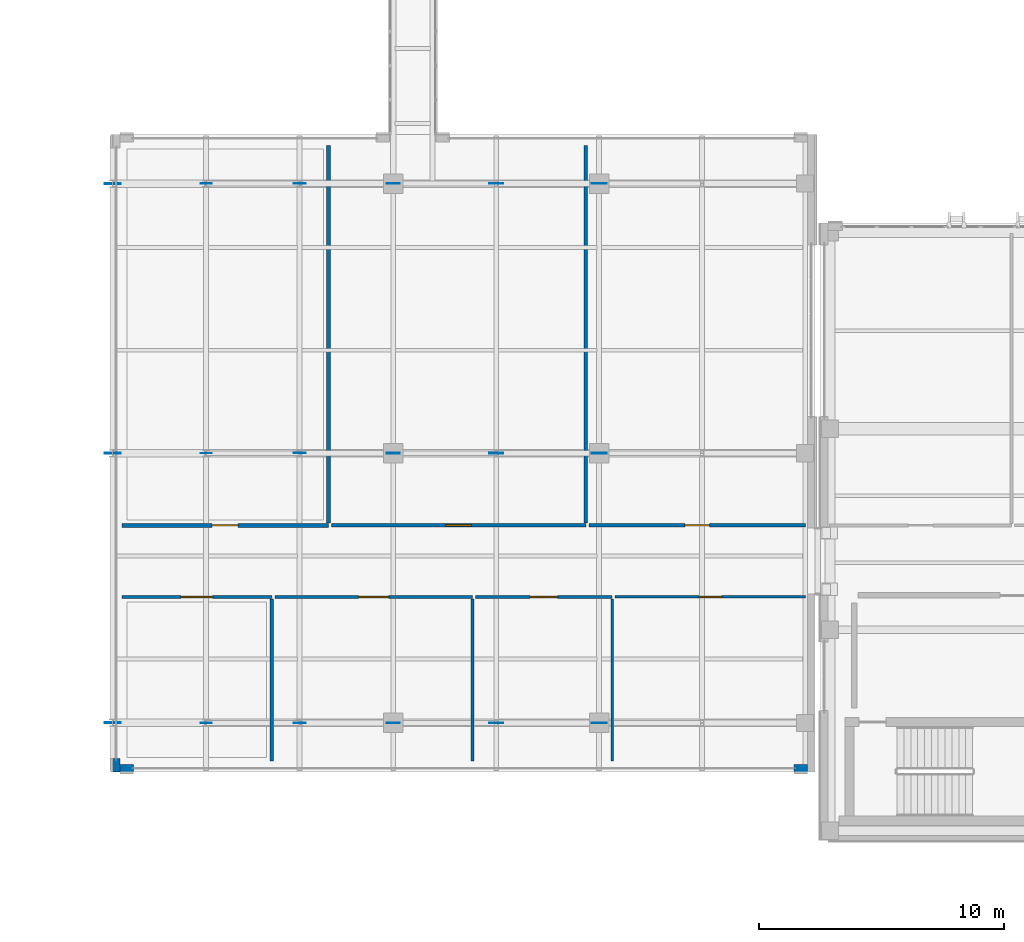
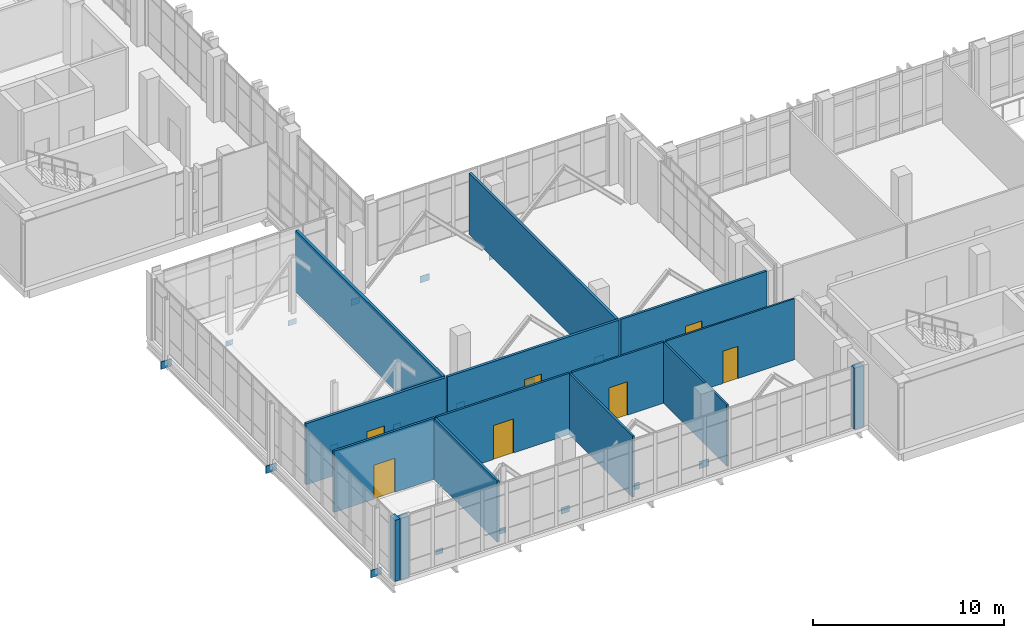
# One storey, part 153 of 193: 18 plates, 15 walls, 7 doors, 7 openings.
"""IFC4 building model written with IfcOpenShell, lengths in metres."""

from ifc_helpers import new_model, si_unit, direction, frame, frame_2d, origin, origin_2d, place, context, subcontext, project, spatial, rectangle, extrude, material, layer, layer_set, type_object, element, fill, save


model = new_model("IFC4")

# Units and contexts
model_context = context("Model", 3, precision=1e-05, world=origin(), true_north=direction((0.0, 1.0)))
body_context = subcontext(model_context, "Body", "Model", "MODEL_VIEW")
ifc_project = project(units=[si_unit("LENGTHUNIT", "METRE"), si_unit("AREAUNIT", "SQUARE_METRE"), si_unit("VOLUMEUNIT", "CUBIC_METRE"), si_unit("PLANEANGLEUNIT", "RADIAN"), si_unit("MASSUNIT", "GRAM", prefix="KILO")], contexts=[model_context])

# Site, building, storey
site_placement = place(None, origin())
site = spatial("IfcSite", under=ifc_project, at=site_placement, CompositionType="ELEMENT")
building_placement = place(site_placement, origin())
building = spatial("IfcBuilding", under=site, at=building_placement, Name="Qalavern Law Courts", CompositionType="ELEMENT")
storey_placement = place(building_placement, frame((0.0, 0.0, 10.199951171875)))
storey = spatial("IfcBuildingStorey", under=building, at=storey_placement, Name="L02", CompositionType="ELEMENT", Elevation=10.199951171875)

# Plates
ifc_material_1 = material(Name="Steel S355", Category="steel")
ifc_layer_1 = layer(ifc_material_1, 0.035888671875)
ifc_layer_set_1 = layer_set([ifc_layer_1], Name="Steel S355")
plate_type_1 = type_object("IfcPlateType", Name="STR-GP-TN1", PredefinedType="USERDEFINED", material=ifc_layer_set_1)
for number, where, z_axis, x_axis, name in (
    (1, (5.35009765625, 10.0, -0.85498046875), (0.0, 0.0, 1.0), (1.0, 0.0, 0.0), "Truss node gusset plate TN1 T1-L02-6"),
    (2, (5.35009765625, 21.0, -0.85498046875), (0.0, 0.0, 1.0), (1.0, 0.0, 0.0), "Truss node gusset plate TN1 T2-L02-6"),
    (3, (5.35009765625, 32.0, -0.85498046875), (0.0, 0.0, 1.0), (1.0, 0.0, 0.0), "Truss node gusset plate TN1 T3-L02-6"),
):
    element("IfcPlate", number, at=place(storey_placement, frame(where, z_axis=z_axis, x_axis=x_axis)), inside=storey, type_object=plate_type_1, Name=name, ObjectType="GUSSET PLATE", PredefinedType="USERDEFINED", context=body_context, shape_type="SweptSolid", body=[
        extrude(rectangle(XDim=0.64990234375, YDim=0.035888671875, at=origin_2d()), origin(), (0.0, 0.0, 1.0), 0.47998046875),
    ])
ifc_layer_2 = layer(ifc_material_1, 0.031982421875)
ifc_layer_set_2 = layer_set([ifc_layer_2], Name="Steel S355")
plate_type_2 = type_object("IfcPlateType", Name="STR-GP-TN2", PredefinedType="USERDEFINED", material=ifc_layer_set_2)
for number, where, z_axis, x_axis, name in (
    (4, (25.199951171875, 10.0, -0.83984375), (0.0, 0.0, 1.0), (1.0, 0.0, 0.0), "Truss node gusset plate TN2 T1-L02-1"),
    (5, (25.199951171875, 21.0, -0.83984375), (0.0, 0.0, 1.0), (1.0, 0.0, 0.0), "Truss node gusset plate TN2 T2-L02-1"),
    (6, (25.199951171875, 32.0, -0.83984375), (0.0, 0.0, 1.0), (1.0, 0.0, 0.0), "Truss node gusset plate TN2 T3-L02-1"),
):
    element("IfcPlate", number, at=place(storey_placement, frame(where, z_axis=z_axis, x_axis=x_axis)), inside=storey, type_object=plate_type_2, Name=name, ObjectType="GUSSET PLATE", PredefinedType="USERDEFINED", context=body_context, shape_type="SweptSolid", body=[
        extrude(rectangle(XDim=0.60009765625, YDim=0.031982421875, at=origin_2d()), origin(), (0.0, 0.0, 1.0), 0.449951171875),
    ])
ifc_layer_3 = layer(ifc_material_1, 0.028076171875)
ifc_layer_set_3 = layer_set([ifc_layer_3], Name="Steel S355")
plate_type_3 = type_object("IfcPlateType", Name="STR-GP-TN3", PredefinedType="USERDEFINED", material=ifc_layer_set_3)
for number, where, z_axis, x_axis, name in (
    (7, (21.0, 10.0, -0.824951171875), (0.0, 0.0, 1.0), (1.0, 0.0, 0.0), "Truss node gusset plate TN3 T1-L02-2"),
    (8, (21.0, 21.0, -0.824951171875), (0.0, 0.0, 1.0), (1.0, 0.0, 0.0), "Truss node gusset plate TN3 T2-L02-2"),
    (9, (21.0, 32.0, -0.824951171875), (0.0, 0.0, 1.0), (1.0, 0.0, 0.0), "Truss node gusset plate TN3 T3-L02-2"),
):
    element("IfcPlate", number, at=place(storey_placement, frame(where, z_axis=z_axis, x_axis=x_axis)), inside=storey, type_object=plate_type_3, Name=name, ObjectType="GUSSET PLATE", PredefinedType="USERDEFINED", context=body_context, shape_type="SweptSolid", body=[
        extrude(rectangle(XDim=0.56005859375, YDim=0.028076171875, at=origin_2d()), origin(), (0.0, 0.0, 1.0), 0.419921875),
    ])
ifc_layer_4 = layer(ifc_material_1, 0.02392578125)
ifc_layer_set_4 = layer_set([ifc_layer_4], Name="Steel S355")
plate_type_4 = type_object("IfcPlateType", Name="STR-GP-TN4", PredefinedType="USERDEFINED", material=ifc_layer_set_4)
for number, where, z_axis, x_axis, name in (
    (10, (16.800048828125, 10.0, -0.81494140625), (0.0, 0.0, 1.0), (1.0, 0.0, 0.0), "Truss node gusset plate TN4 T1-L02-3"),
    (11, (16.800048828125, 21.0, -0.81494140625), (0.0, 0.0, 1.0), (1.0, 0.0, 0.0), "Truss node gusset plate TN4 T2-L02-3"),
    (12, (16.800048828125, 32.0, -0.81494140625), (0.0, 0.0, 1.0), (1.0, 0.0, 0.0), "Truss node gusset plate TN4 T3-L02-3"),
):
    element("IfcPlate", number, at=place(storey_placement, frame(where, z_axis=z_axis, x_axis=x_axis)), inside=storey, type_object=plate_type_4, Name=name, ObjectType="GUSSET PLATE", PredefinedType="USERDEFINED", context=body_context, shape_type="SweptSolid", body=[
        extrude(rectangle(XDim=0.52001953125, YDim=0.02392578125, at=origin_2d()), origin(), (0.0, 0.0, 1.0), 0.39990234375),
    ])
ifc_layer_5 = layer(ifc_material_1, 0.02001953125)
ifc_layer_set_5 = layer_set([ifc_layer_5], Name="Steel S355")
plate_type_5 = type_object("IfcPlateType", Name="STR-GP-TN5", PredefinedType="USERDEFINED", material=ifc_layer_set_5)
for number, where, z_axis, x_axis, name in (
    (13, (12.9833984375, 10.0, -0.794921875), (0.0, 0.0, 1.0), (1.0, 0.0, 0.0), "Truss node gusset plate TN5 T1-L02-4"),
    (14, (12.9833984375, 21.0, -0.794921875), (0.0, 0.0, 1.0), (1.0, 0.0, 0.0), "Truss node gusset plate TN5 T2-L02-4"),
    (15, (12.9833984375, 32.0, -0.794921875), (0.0, 0.0, 1.0), (1.0, 0.0, 0.0), "Truss node gusset plate TN5 T3-L02-4"),
):
    element("IfcPlate", number, at=place(storey_placement, frame(where, z_axis=z_axis, x_axis=x_axis)), inside=storey, type_object=plate_type_5, Name=name, ObjectType="GUSSET PLATE", PredefinedType="USERDEFINED", context=body_context, shape_type="SweptSolid", body=[
        extrude(rectangle(XDim=0.47998046875, YDim=0.02001953125, at=origin_2d()), origin(), (0.0, 0.0, 1.0), 0.360107421875),
    ])
ifc_layer_6 = layer(ifc_material_1, 0.01611328125)
ifc_layer_set_6 = layer_set([ifc_layer_6], Name="Steel S355")
plate_type_6 = type_object("IfcPlateType", Name="STR-GP-TN6", PredefinedType="USERDEFINED", material=ifc_layer_set_6)
for number, where, z_axis, x_axis, name in (
    (16, (9.166748046875, 10.0, -0.78515625), (0.0, 0.0, 1.0), (1.0, 0.0, 0.0), "Truss node gusset plate TN6 T1-L02-5"),
    (17, (9.166748046875, 21.0, -0.78515625), (0.0, 0.0, 1.0), (1.0, 0.0, 0.0), "Truss node gusset plate TN6 T2-L02-5"),
    (18, (9.166748046875, 32.0, -0.78515625), (0.0, 0.0, 1.0), (1.0, 0.0, 0.0), "Truss node gusset plate TN6 T3-L02-5"),
):
    element("IfcPlate", number, at=place(storey_placement, frame(where, z_axis=z_axis, x_axis=x_axis)), inside=storey, type_object=plate_type_6, Name=name, ObjectType="GUSSET PLATE", PredefinedType="USERDEFINED", context=body_context, shape_type="SweptSolid", body=[
        extrude(rectangle(XDim=0.43994140625, YDim=0.01611328125, at=origin_2d()), origin(), (0.0, 0.0, 1.0), 0.340087890625),
    ])

# Walls
ifc_material_2 = material(Name="Concrete C40/50", Category="concrete")
ifc_layer_7 = layer(ifc_material_2, 0.31005859375)
ifc_layer_set_7 = layer_set([ifc_layer_7], Name="Concrete C40/50")
wall_type_1 = type_object("IfcWallType", Name="ENV-EW-310", PredefinedType="SOLIDWALL", material=ifc_layer_set_7)
for number, where, z_axis, x_axis, name in (
    (19, (5.655029296875, 8.155029296875, 0.0), (0.0, 0.0, 1.0), (1.0, 0.0, 0.0), "V1 exterior pier wall L02 south 1"),
    (20, (33.14501953125, 8.155029296875, 0.0), (0.0, 0.0, 1.0), (1.0, 0.0, 0.0), "V1 exterior pier wall L02 south 2"),
    (21, (5.5048828125, 8.550048828125, 0.0), (0.0, 0.0, 1.0), (0.0, -1.0, 0.0), "V1 exterior pier wall L02 west 2"),
):
    element("IfcWall", number, at=place(storey_placement, frame(where, z_axis=z_axis, x_axis=x_axis)), inside=storey, type_object=wall_type_1, Name=name, PredefinedType="SOLIDWALL", context=body_context, shape_type="SweptSolid", body=[
        extrude(rectangle(XDim=0.550048828125, YDim=0.31005859375, at=frame_2d((0.27490234375, 0.0))), origin(), (0.0, 0.0, 1.0), 3.9150390625),
    ])

# Wall, opening, door
ifc_material_3 = material(Name="Gypsum sanitary partition")
ifc_layer_8 = layer(ifc_material_3, 0.10205078125)
ifc_layer_set_8 = layer_set([ifc_layer_8], Name="Gypsum sanitary partition")
wall_type_2 = type_object("IfcWallType", Name="INT-PW-102", PredefinedType="PARTITIONING", material=ifc_layer_set_8)
wall_1_placement = place(storey_placement, frame((25.85302734375, 15.139892578125, 0.0), z_axis=(0.0, 0.0, 1.0), x_axis=(1.0, 0.0, 0.0)))
wall_1 = element("IfcWall", 22, at=wall_1_placement, inside=storey, type_object=wall_type_2, Name="Accessible WC corridor partition L02", PredefinedType="PARTITIONING", context=body_context, shape_type="SweptSolid", body=[
    extrude(rectangle(XDim=7.76708984375, YDim=0.10205078125, at=frame_2d((3.883544921875, 0.0))), origin(), (0.0, 0.0, 1.0), 3.9150390625),
])
opening_1_placement = place(wall_1_placement, frame((3.423583984375, 0.0, 0.0)))
opening_1 = element("IfcOpeningElement", 23, at=opening_1_placement, cuts=wall_1, Name="Opening L02-D130", PredefinedType="OPENING", context=body_context, shape_type="SweptSolid", body=[
    extrude(rectangle(XDim=0.919921875, YDim=2.06005859375, at=frame_2d((0.4599609375, 1.030029296875))), frame((0.0, 0.06591796875, 0.0), z_axis=(0.0, -1.0, 0.0), x_axis=(1.0, 0.0, 0.0)), (0.0, 0.0, 1.0), 0.1318359375),
])
ifc_material_4 = material(Name="Public and Staff WC door")
door_type_1 = type_object("IfcDoorType", Name="INT-ID-920x2060", OperationType="NOTDEFINED", PredefinedType="DOOR", material=ifc_material_4)
door_1_placement = place(opening_1_placement, frame((0.919921875, 0.0, 0.0), z_axis=(0.0, 0.0, 1.0), x_axis=(-1.0, 0.0, 0.0)))
door_1 = element("IfcDoor", 24, at=door_1_placement, inside=storey, type_object=door_type_1, Name="Accessible WC door L02", OperationType="SINGLE_SWING_LEFT", OverallHeight=2.06005859375, OverallWidth=0.919921875, PredefinedType="DOOR", context=body_context, shape_type="SweptSolid", body=[
    extrude(rectangle(XDim=0.919921875, YDim=2.06005859375, at=frame_2d((0.4599609375, 1.030029296875))), frame((0.0, 0.02490234375, 0.0), z_axis=(0.0, -1.0, 0.0), x_axis=(1.0, 0.0, 0.0)), (0.0, 0.0, 1.0), 0.050048828125),
])
fill(opening_1, door_1)

ifc_material_5 = material(Name="Gypsum stud partition")
ifc_layer_9 = layer(ifc_material_5, 0.112060546875)
ifc_layer_set_9 = layer_set([ifc_layer_9], Name="Gypsum stud partition")
wall_type_3 = type_object("IfcWallType", Name="INT-PW-112", PredefinedType="PARTITIONING", material=ifc_layer_set_9)
wall_2_placement = place(storey_placement, frame((20.14794921875, 15.139892578125, 0.0), z_axis=(0.0, 0.0, 1.0), x_axis=(1.0, 0.0, 0.0)))
wall_2 = element("IfcWall", 25, at=wall_2_placement, inside=storey, type_object=wall_type_3, Name="Advocates Consultation Room corridor partition L02", PredefinedType="PARTITIONING", context=body_context, shape_type="SweptSolid", body=[
    extrude(rectangle(XDim=5.5849609375, YDim=0.112060546875, at=frame_2d((2.79248046875, 0.0))), origin(), (0.0, 0.0, 1.0), 3.9150390625),
])
opening_2_placement = place(wall_2_placement, frame((2.232421875, 0.0, 0.0)))
opening_2 = element("IfcOpeningElement", 26, at=opening_2_placement, cuts=wall_2, Name="Opening L02-D129", PredefinedType="OPENING", context=body_context, shape_type="SweptSolid", body=[
    extrude(rectangle(XDim=1.1201171875, YDim=2.139892578125, at=frame_2d((0.56005859375, 1.06982421875))), frame((0.0, 0.07080078125, 0.0), z_axis=(0.0, -1.0, 0.0), x_axis=(1.0, 0.0, 0.0)), (0.0, 0.0, 1.0), 0.141845703125),
])
ifc_material_6 = material(Name="Solid oak Appellate Chambers door")
door_type_2 = type_object("IfcDoorType", Name="INT-ID-1120x2140", OperationType="NOTDEFINED", PredefinedType="DOOR", material=ifc_material_6)
door_2_placement = place(opening_2_placement, frame((1.1201171875, 0.0, 0.0), z_axis=(0.0, 0.0, 1.0), x_axis=(-1.0, 0.0, 0.0)))
door_2 = element("IfcDoor", 27, at=door_2_placement, inside=storey, type_object=door_type_2, Name="Advocates Consultation Room door L02", OperationType="SINGLE_SWING_RIGHT", OverallHeight=2.139892578125, OverallWidth=1.1201171875, PredefinedType="DOOR", context=body_context, shape_type="SweptSolid", body=[
    extrude(rectangle(XDim=1.1201171875, YDim=2.139892578125, at=frame_2d((0.56005859375, 1.06982421875))), frame((0.0, 0.02490234375, 0.0), z_axis=(0.0, -1.0, 0.0), x_axis=(1.0, 0.0, 0.0)), (0.0, 0.0, 1.0), 0.050048828125),
])
fill(opening_2, door_2)

# Wall
wall_3_placement = place(storey_placement, frame((25.73291015625, 8.43994140625, 0.0), z_axis=(0.0, 0.0, 1.0), x_axis=(0.0, 1.0, 0.0)))
element("IfcWall", 28, at=wall_3_placement, inside=storey, type_object=wall_type_3, Name="Advocates Consultation Room cross partition L02 east", PredefinedType="PARTITIONING", context=body_context, shape_type="SweptSolid", body=[
    extrude(rectangle(XDim=6.6240234375, YDim=0.112060546875, at=frame_2d((3.31201171875, 0.0))), origin(), (0.0, 0.0, 1.0), 3.9150390625),
])

# Wall, opening, door
ifc_layer_10 = layer(ifc_material_5, 0.1220703125)
ifc_layer_set_10 = layer_set([ifc_layer_10], Name="Gypsum stud partition")
wall_type_4 = type_object("IfcWallType", Name="INT-PW-122", PredefinedType="PARTITIONING", material=ifc_layer_set_10)
wall_4_placement = place(storey_placement, frame((11.968017578125, 15.139892578125, 0.0), z_axis=(0.0, 0.0, 1.0), x_axis=(1.0, 0.0, 0.0)))
wall_4 = element("IfcWall", 29, at=wall_4_placement, inside=storey, type_object=wall_type_4, Name="Public Waiting Gallery corridor partition L02", PredefinedType="PARTITIONING", context=body_context, shape_type="SweptSolid", body=[
    extrude(rectangle(XDim=8.06005859375, YDim=0.1220703125, at=frame_2d((4.030029296875, 0.0))), origin(), (0.0, 0.0, 1.0), 3.9150390625),
])
opening_3_placement = place(wall_4_placement, frame((3.419921875, 0.0, 0.0)))
opening_3 = element("IfcOpeningElement", 30, at=opening_3_placement, cuts=wall_4, Name="Opening L02-D128", PredefinedType="OPENING", context=body_context, shape_type="SweptSolid", body=[
    extrude(rectangle(XDim=1.219970703125, YDim=2.179931640625, at=frame_2d((0.60986328125, 1.08984375))), frame((0.0, 0.075927734375, 0.0), z_axis=(0.0, -1.0, 0.0), x_axis=(1.0, 0.0, 0.0)), (0.0, 0.0, 1.0), 0.15185546875),
])
ifc_material_7 = material(Name="Wide oak Plenary Boardroom door")
door_type_3 = type_object("IfcDoorType", Name="INT-ID-1220x2180", OperationType="NOTDEFINED", PredefinedType="DOOR", material=ifc_material_7)
door_3_placement = place(opening_3_placement, frame((1.219970703125, 0.0, 0.0), z_axis=(0.0, 0.0, 1.0), x_axis=(-1.0, 0.0, 0.0)))
door_3 = element("IfcDoor", 31, at=door_3_placement, inside=storey, type_object=door_type_3, Name="Public Waiting Gallery door L02", OperationType="SINGLE_SWING_LEFT", OverallHeight=2.179931640625, OverallWidth=1.219970703125, PredefinedType="DOOR", context=body_context, shape_type="SweptSolid", body=[
    extrude(rectangle(XDim=1.219970703125, YDim=2.179931640625, at=frame_2d((0.60986328125, 1.08984375))), frame((0.0, 0.02490234375, 0.0), z_axis=(0.0, -1.0, 0.0), x_axis=(1.0, 0.0, 0.0)), (0.0, 0.0, 1.0), 0.050048828125),
])
fill(opening_3, door_3)

# Wall
wall_5_placement = place(storey_placement, frame((20.028076171875, 8.43994140625, 0.0), z_axis=(0.0, 0.0, 1.0), x_axis=(0.0, 1.0, 0.0)))
element("IfcWall", 32, at=wall_5_placement, inside=storey, type_object=wall_type_4, Name="Public Waiting Gallery cross partition L02 east", PredefinedType="PARTITIONING", context=body_context, shape_type="SweptSolid", body=[
    extrude(rectangle(XDim=6.619140625, YDim=0.1220703125, at=frame_2d((3.3095703125, 0.0))), origin(), (0.0, 0.0, 1.0), 3.9150390625),
])

# Wall, opening, door
ifc_layer_11 = layer(ifc_material_5, 0.132080078125)
ifc_layer_set_11 = layer_set([ifc_layer_11], Name="Gypsum stud partition")
wall_type_5 = type_object("IfcWallType", Name="INT-PW-132", PredefinedType="PARTITIONING", material=ifc_layer_set_11)
wall_6_placement = place(storey_placement, frame((5.72998046875, 15.139892578125, 0.0), z_axis=(0.0, 0.0, 1.0), x_axis=(1.0, 0.0, 0.0)))
wall_6 = element("IfcWall", 33, at=wall_6_placement, inside=storey, type_object=wall_type_5, Name="Cantilevered Public Foyer corridor partition L02", PredefinedType="PARTITIONING", context=body_context, shape_type="SweptSolid", body=[
    extrude(rectangle(XDim=6.117919921875, YDim=0.132080078125, at=frame_2d((3.05908203125, 0.0))), origin(), (0.0, 0.0, 1.0), 3.9150390625),
])
opening_4_placement = place(wall_6_placement, frame((2.4189453125, 0.0, 0.0)))
opening_4 = element("IfcOpeningElement", 34, at=opening_4_placement, cuts=wall_6, Name="Opening L02-D127", PredefinedType="OPENING", context=body_context, shape_type="SweptSolid", body=[
    extrude(rectangle(XDim=1.280029296875, YDim=2.179931640625, at=frame_2d((0.64013671875, 1.08984375))), frame((0.0, 0.0810546875, 0.0), z_axis=(0.0, -1.0, 0.0), x_axis=(1.0, 0.0, 0.0)), (0.0, 0.0, 1.0), 0.161865234375),
])
ifc_material_8 = material(Name="Wide oak Judicial Conference door")
door_type_4 = type_object("IfcDoorType", Name="INT-ID-1280x2180", OperationType="NOTDEFINED", PredefinedType="DOOR", material=ifc_material_8)
door_4_placement = place(opening_4_placement, frame((1.280029296875, 0.0, 0.0), z_axis=(0.0, 0.0, 1.0), x_axis=(-1.0, 0.0, 0.0)))
door_4 = element("IfcDoor", 35, at=door_4_placement, inside=storey, type_object=door_type_4, Name="Cantilevered Public Foyer door L02", OperationType="SINGLE_SWING_RIGHT", OverallHeight=2.179931640625, OverallWidth=1.280029296875, PredefinedType="DOOR", context=body_context, shape_type="SweptSolid", body=[
    extrude(rectangle(XDim=1.280029296875, YDim=2.179931640625, at=frame_2d((0.64013671875, 1.08984375))), frame((0.0, 0.02490234375, 0.0), z_axis=(0.0, -1.0, 0.0), x_axis=(1.0, 0.0, 0.0)), (0.0, 0.0, 1.0), 0.050048828125),
])
fill(opening_4, door_4)

# Wall
wall_7_placement = place(storey_placement, frame((11.847900390625, 8.43994140625, 0.0), z_axis=(0.0, 0.0, 1.0), x_axis=(0.0, 1.0, 0.0)))
element("IfcWall", 36, at=wall_7_placement, inside=storey, type_object=wall_type_5, Name="Cantilevered Public Foyer cross partition L02 east", PredefinedType="PARTITIONING", context=body_context, shape_type="SweptSolid", body=[
    extrude(rectangle(XDim=6.614013671875, YDim=0.132080078125, at=frame_2d((3.30712890625, 0.0))), origin(), (0.0, 0.0, 1.0), 3.9150390625),
])

# Wall, opening, door
ifc_layer_12 = layer(ifc_material_5, 0.14208984375)
ifc_layer_set_12 = layer_set([ifc_layer_12], Name="Gypsum stud partition")
wall_type_6 = type_object("IfcWallType", Name="INT-PW-142", PredefinedType="PARTITIONING", material=ifc_layer_set_12)
wall_8_placement = place(storey_placement, frame((24.77587890625, 18.06005859375, 0.0), z_axis=(0.0, 0.0, 1.0), x_axis=(1.0, 0.0, 0.0)))
wall_8 = element("IfcWall", 37, at=wall_8_placement, inside=storey, type_object=wall_type_6, Name="Advocates Consultation Room corridor partition L02", PredefinedType="PARTITIONING", context=body_context, shape_type="SweptSolid", body=[
    extrude(rectangle(XDim=8.84423828125, YDim=0.14208984375, at=frame_2d((4.422119140625, 0.0))), origin(), (0.0, 0.0, 1.0), 3.9150390625),
])
opening_5_placement = place(wall_8_placement, frame((3.922119140625, 0.0, 0.0)))
opening_5 = element("IfcOpeningElement", 38, at=opening_5_placement, cuts=wall_8, Name="Opening L02-D133", PredefinedType="OPENING", context=body_context, shape_type="SweptSolid", body=[
    extrude(rectangle(XDim=1.0, YDim=2.10009765625, at=frame_2d((0.5, 1.050048828125))), frame((0.0, 0.0859375, 0.0), z_axis=(0.0, -1.0, 0.0), x_axis=(1.0, 0.0, 0.0)), (0.0, 0.0, 1.0), 0.171875),
])
ifc_material_9 = material(Name="Timber Judicial Clerks' Office door", Category="wood")
door_type_5 = type_object("IfcDoorType", Name="INT-ID-1000x2100", OperationType="NOTDEFINED", PredefinedType="DOOR", material=ifc_material_9)
door_5_placement = place(opening_5_placement, origin())
door_5 = element("IfcDoor", 39, at=door_5_placement, inside=storey, type_object=door_type_5, Name="Advocates Consultation Room door L02", OperationType="SINGLE_SWING_RIGHT", OverallHeight=2.10009765625, OverallWidth=1.0, PredefinedType="DOOR", context=body_context, shape_type="SweptSolid", body=[
    extrude(rectangle(XDim=1.0, YDim=2.10009765625, at=frame_2d((0.5, 1.050048828125))), frame((0.0, 0.02490234375, 0.0), z_axis=(0.0, -1.0, 0.0), x_axis=(1.0, 0.0, 0.0)), (0.0, 0.0, 1.0), 0.050048828125),
])
fill(opening_5, door_5)

ifc_layer_13 = layer(ifc_material_5, 0.152099609375)
ifc_layer_set_13 = layer_set([ifc_layer_13], Name="Gypsum stud partition")
wall_type_7 = type_object("IfcWallType", Name="INT-PW-152", PredefinedType="PARTITIONING", material=ifc_layer_set_13)
wall_9_placement = place(storey_placement, frame((14.281982421875, 18.06005859375, 0.0), z_axis=(0.0, 0.0, 1.0), x_axis=(1.0, 0.0, 0.0)))
wall_9 = element("IfcWall", 40, at=wall_9_placement, inside=storey, type_object=wall_type_7, Name="Public Waiting Gallery corridor partition L02", PredefinedType="PARTITIONING", context=body_context, shape_type="SweptSolid", body=[
    extrude(rectangle(XDim=10.3740234375, YDim=0.152099609375, at=frame_2d((5.18701171875, 0.0))), origin(), (0.0, 0.0, 1.0), 3.9150390625),
])
opening_6_placement = place(wall_9_placement, frame((4.672119140625, 0.0, 0.0)))
opening_6 = element("IfcOpeningElement", 41, at=opening_6_placement, cuts=wall_9, Name="Opening L02-D132", PredefinedType="OPENING", context=body_context, shape_type="SweptSolid", body=[
    extrude(rectangle(XDim=1.030029296875, YDim=2.110107421875, at=frame_2d((0.51513671875, 1.05517578125))), frame((0.0, 0.0908203125, 0.0), z_axis=(0.0, -1.0, 0.0), x_axis=(1.0, 0.0, 0.0)), (0.0, 0.0, 1.0), 0.181884765625),
])
ifc_material_10 = material(Name="Oak Mediation Suite door")
door_type_6 = type_object("IfcDoorType", Name="INT-ID-1030x2110", OperationType="NOTDEFINED", PredefinedType="DOOR", material=ifc_material_10)
door_6_placement = place(opening_6_placement, origin())
door_6 = element("IfcDoor", 42, at=door_6_placement, inside=storey, type_object=door_type_6, Name="Public Waiting Gallery door L02", OperationType="SINGLE_SWING_LEFT", OverallHeight=2.110107421875, OverallWidth=1.030029296875, PredefinedType="DOOR", context=body_context, shape_type="SweptSolid", body=[
    extrude(rectangle(XDim=1.030029296875, YDim=2.110107421875, at=frame_2d((0.51513671875, 1.05517578125))), frame((0.0, 0.02490234375, 0.0), z_axis=(0.0, -1.0, 0.0), x_axis=(1.0, 0.0, 0.0)), (0.0, 0.0, 1.0), 0.050048828125),
])
fill(opening_6, door_6)

# Wall
wall_10_placement = place(storey_placement, frame((24.656005859375, 18.156005859375, 0.0), z_axis=(0.0, 0.0, 1.0), x_axis=(0.0, 1.0, 0.0)))
element("IfcWall", 43, at=wall_10_placement, inside=storey, type_object=wall_type_7, Name="Public Waiting Gallery cross partition L02 east", PredefinedType="PARTITIONING", context=body_context, shape_type="SweptSolid", body=[
    extrude(rectangle(XDim=15.404052734375, YDim=0.152099609375, at=frame_2d((7.7021484375, 0.0))), origin(), (0.0, 0.0, 1.0), 3.9150390625),
])

# Wall, opening, door
ifc_layer_14 = layer(ifc_material_5, 0.162109375)
ifc_layer_set_14 = layer_set([ifc_layer_14], Name="Gypsum stud partition")
wall_type_8 = type_object("IfcWallType", Name="INT-PW-162", PredefinedType="PARTITIONING", material=ifc_layer_set_14)
wall_11_placement = place(storey_placement, frame((5.72998046875, 18.06005859375, 0.0), z_axis=(0.0, 0.0, 1.0), x_axis=(1.0, 0.0, 0.0)))
wall_11 = element("IfcWall", 44, at=wall_11_placement, inside=storey, type_object=wall_type_8, Name="Cantilevered Public Foyer corridor partition L02", PredefinedType="PARTITIONING", context=body_context, shape_type="SweptSolid", body=[
    extrude(rectangle(XDim=8.43212890625, YDim=0.162109375, at=frame_2d((4.216064453125, 0.0))), origin(), (0.0, 0.0, 1.0), 3.9150390625),
])
opening_7_placement = place(wall_11_placement, frame((3.68603515625, 0.0, 0.0)))
opening_7 = element("IfcOpeningElement", 45, at=opening_7_placement, cuts=wall_11, Name="Opening L02-D131", PredefinedType="OPENING", context=body_context, shape_type="SweptSolid", body=[
    extrude(rectangle(XDim=1.06005859375, YDim=2.1201171875, at=frame_2d((0.530029296875, 1.06005859375))), frame((0.0, 0.095947265625, 0.0), z_axis=(0.0, -1.0, 0.0), x_axis=(1.0, 0.0, 0.0)), (0.0, 0.0, 1.0), 0.19189453125),
])
ifc_material_11 = material(Name="Solid oak Trial Judges' Chambers door")
door_type_7 = type_object("IfcDoorType", Name="INT-ID-1060x2120", OperationType="NOTDEFINED", PredefinedType="DOOR", material=ifc_material_11)
door_7_placement = place(opening_7_placement, origin())
door_7 = element("IfcDoor", 46, at=door_7_placement, inside=storey, type_object=door_type_7, Name="Cantilevered Public Foyer door L02", OperationType="SINGLE_SWING_RIGHT", OverallHeight=2.1201171875, OverallWidth=1.06005859375, PredefinedType="DOOR", context=body_context, shape_type="SweptSolid", body=[
    extrude(rectangle(XDim=1.06005859375, YDim=2.1201171875, at=frame_2d((0.530029296875, 1.06005859375))), frame((0.0, 0.02490234375, 0.0), z_axis=(0.0, -1.0, 0.0), x_axis=(1.0, 0.0, 0.0)), (0.0, 0.0, 1.0), 0.050048828125),
])
fill(opening_7, door_7)

# Wall
wall_12_placement = place(storey_placement, frame((14.162109375, 18.160888671875, 0.0), z_axis=(0.0, 0.0, 1.0), x_axis=(0.0, 1.0, 0.0)))
element("IfcWall", 47, at=wall_12_placement, inside=storey, type_object=wall_type_8, Name="Cantilevered Public Foyer cross partition L02 east", PredefinedType="PARTITIONING", context=body_context, shape_type="SweptSolid", body=[
    extrude(rectangle(XDim=15.399169921875, YDim=0.162109375, at=frame_2d((7.69970703125, 0.0))), origin(), (0.0, 0.0, 1.0), 3.9150390625),
])

save(model, "model.ifc")
